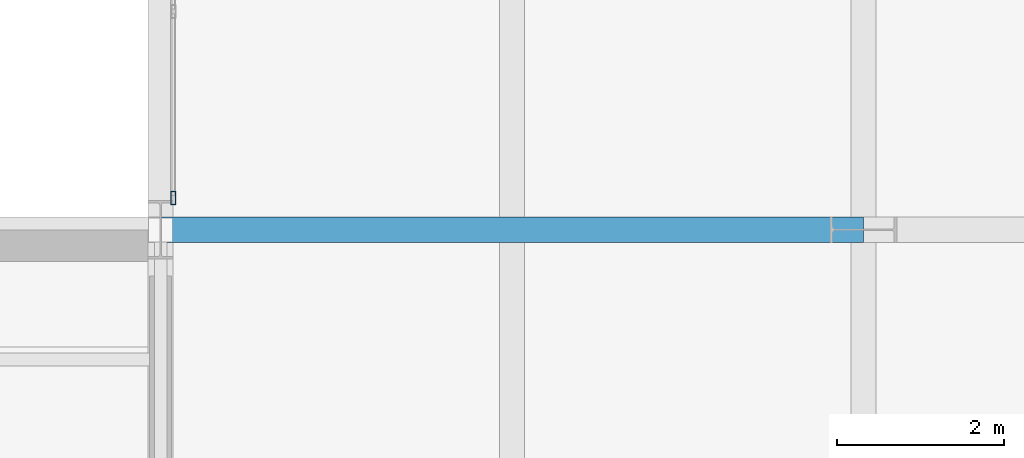
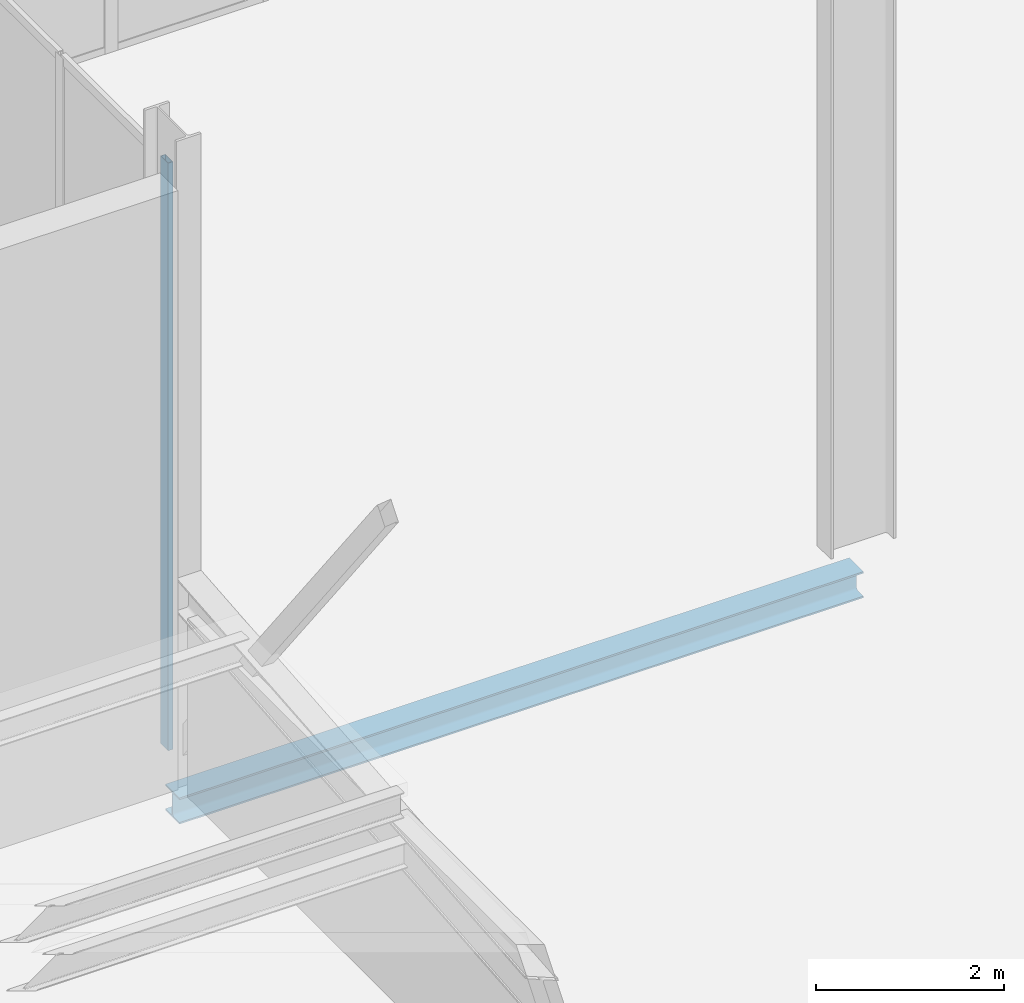
# One storey, part 24 of 131: 1 beam, 1 member, 1 element without a shape of its own.
"""IFC4 building model written with IfcOpenShell, lengths in metres."""

from ifc_helpers import new_model, si_unit, direction, frame, origin, origin_2d, place, context, subcontext, project, spatial, hollow_rectangle, i_section, extrude, material, material_profile, profile_set, type_object, element, aggregate, save


model = new_model("IFC4")

# Units and contexts
model_context = context("Model", 3, precision=1e-05, world=origin(), true_north=direction((0.0, 1.0)))
body_context = subcontext(model_context, "Body", "Model", "MODEL_VIEW")
ifc_project = project(units=[si_unit("LENGTHUNIT", "METRE"), si_unit("AREAUNIT", "SQUARE_METRE"), si_unit("VOLUMEUNIT", "CUBIC_METRE"), si_unit("PLANEANGLEUNIT", "RADIAN"), si_unit("MASSUNIT", "GRAM", prefix="KILO")], contexts=[model_context])

# Site, building, storey
site_placement = place(None, origin())
site = spatial("IfcSite", under=ifc_project, at=site_placement, CompositionType="ELEMENT")
building_placement = place(site_placement, origin())
building = spatial("IfcBuilding", under=site, at=building_placement, Name="Veltarok Museum of Natural Sciences", CompositionType="ELEMENT")
storey_placement = place(building_placement, origin())
storey = spatial("IfcBuildingStorey", under=building, at=storey_placement, Name="L00", CompositionType="ELEMENT", Elevation=0.0)

# Curtain wall, member
ifc_material_1 = material(Name="Low-iron triple insulated glass", Category="glass")
curtain_wall_type = type_object("IfcCurtainWallType", Name="Curtain Wall System CW-PASW0-L00-3-1130x763 (CW-PASW0 L00 1130x763cm)", PredefinedType="NOTDEFINED", material=ifc_material_1)
curtain_wall_placement = place(storey_placement, origin())
curtain_wall = element("IfcCurtainWall", 1, at=curtain_wall_placement, inside=storey, type_object=curtain_wall_type, Name="Curtain Wall CW-PASW0-L00-3-1130x763 CW-0207", PredefinedType="NOTDEFINED")
ifc_material_2 = material(Name="Thermally broken anodised aluminium", Category="aluminium")
ifc_material_profile_1 = material_profile(ifc_material_2, hollow_rectangle(XDim=0.06005859375, YDim=0.159912109375, WallThickness=0.0048828125, at=origin_2d()), Name="CW MULLION 60x160x5")
ifc_profile_set_1 = profile_set([ifc_material_profile_1], Name="Thermally broken anodised aluminium")
member_type = type_object("IfcMemberType", Name="Curtain Wall Vertical Mullion 60x160x5", PredefinedType="MULLION", material=ifc_profile_set_1)
member_placement = place(storey_placement, frame((23.35009765625, 60.3798828125, -0.001953125), z_axis=(0.0, 0.0, 1.0), x_axis=(-1.0, 0.0, 0.0)))
member = element("IfcMember", 2, at=member_placement, type_object=member_type, Name="CW-PASW0-L00-3-1130x763 mullion 1", PredefinedType="MULLION", context=body_context, shape_type="SweptSolid", body=[
    extrude(hollow_rectangle(XDim=0.06005859375, YDim=0.159912109375, WallThickness=0.0048828125, at=origin_2d()), origin(), (0.0, 0.0, 1.0), 7.6318359375),
])
aggregate(curtain_wall, [member])

# Beam
ifc_material_3 = material(Name="Steel S355J2", Category="steel")
ifc_material_profile_2 = material_profile(ifc_material_3, i_section(OverallWidth=0.300048828125, OverallDepth=0.340087890625, WebThickness=0.011962890625, FlangeThickness=0.021484375, FilletRadius=0.027099609375, at=origin_2d()), Name="HEB 340")
ifc_profile_set_2 = profile_set([ifc_material_profile_2], Name="Steel S355J2")
beam_type = type_object("IfcBeamType", Name="Perimeter Bridge Spandrel HEB 340", PredefinedType="SPANDREL", material=ifc_profile_set_2)
beam_placement = place(storey_placement, frame((23.199951171875, 60.0, -0.469970703125), z_axis=(1.0, 0.0, 0.0), x_axis=(0.0, 1.0, 0.0)))
element("IfcBeam", 3, at=beam_placement, inside=storey, type_object=beam_type, Name="Beam BM-SP07 L00 3-4/G", PredefinedType="SPANDREL", context=body_context, shape_type="SweptSolid", body=[
    extrude(i_section(OverallWidth=0.300048828125, OverallDepth=0.340087890625, WebThickness=0.011962890625, FlangeThickness=0.021484375, FilletRadius=0.027099609375, at=origin_2d()), origin(), (0.0, 0.0, 1.0), 8.400146484375),
])

save(model, "model.ifc")
